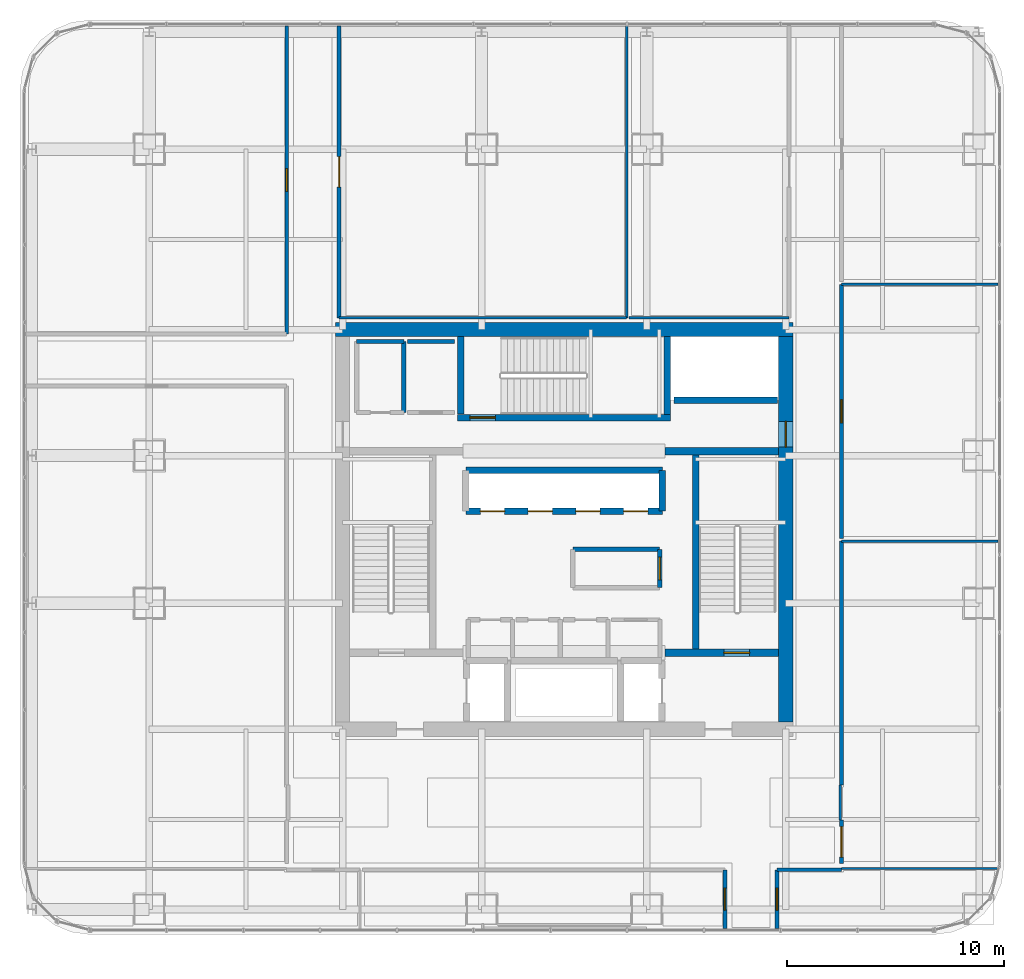
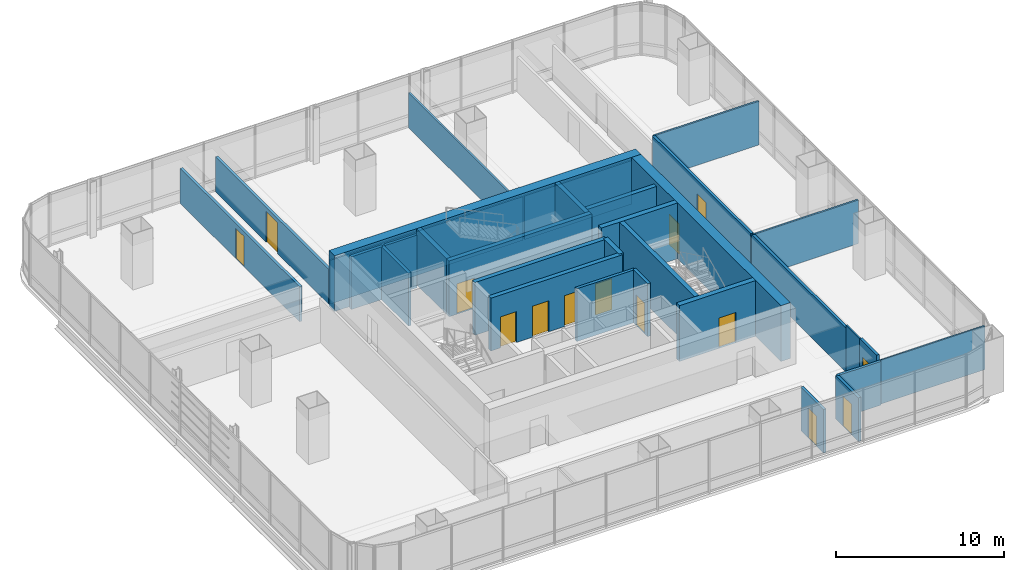
# One storey, part 31 of 38: 32 walls, 14 doors, 14 openings.
"""IFC4 building model written with IfcOpenShell, lengths in metres."""

from ifc_helpers import new_model, si_unit, direction, frame, frame_2d, origin, place, context, subcontext, project, spatial, rectangle, extrude, material, layer, layer_set, type_object, element, fill, save


model = new_model("IFC4")

# Units and contexts
model_context = context("Model", 3, precision=1e-05, world=origin(), true_north=direction((0.0, 1.0)))
body_context = subcontext(model_context, "Body", "Model", "MODEL_VIEW")
ifc_project = project(units=[si_unit("LENGTHUNIT", "METRE"), si_unit("AREAUNIT", "SQUARE_METRE"), si_unit("VOLUMEUNIT", "CUBIC_METRE"), si_unit("PLANEANGLEUNIT", "RADIAN"), si_unit("MASSUNIT", "GRAM", prefix="KILO")], contexts=[model_context])

# Site, building, storey
site_placement = place(None, origin())
site = spatial("IfcSite", under=ifc_project, at=site_placement, CompositionType="ELEMENT")
building_placement = place(site_placement, origin())
building = spatial("IfcBuilding", under=site, at=building_placement, Name="Punatoya Terracotta Tower", CompositionType="ELEMENT")
storey_placement = place(building_placement, frame((0.0, 0.0, 160.050048828125)))
storey = spatial("IfcBuildingStorey", under=building, at=storey_placement, Name="L37", CompositionType="ELEMENT", Elevation=160.050048828125)

# Wall
ifc_material_1 = material(Name="Concrete C60/75", Category="concrete")
ifc_layer_1 = layer(ifc_material_1, 0.64990234375)
ifc_layer_set_1 = layer_set([ifc_layer_1], Name="Concrete C60/75")
wall_type_1 = type_object("IfcWallType", Name="WL-COR-650", PredefinedType="SHEAR", material=ifc_layer_set_1)
wall_1_placement = place(storey_placement, frame((-10.52490234375, 9.199951171875, 0.0), z_axis=(0.0, 0.0, 1.0), x_axis=(1.0, 0.0, 0.0)))
element("IfcWall", 1, at=wall_1_placement, inside=storey, type_object=wall_type_1, Name="L37 Core Shear Wall N", PredefinedType="SHEAR", context=body_context, shape_type="SweptSolid", body=[
    extrude(rectangle(XDim=21.0498046875, YDim=0.64990234375, at=frame_2d((10.52490234375, 0.0))), origin(), (0.0, 0.0, 1.0), 4.050048828125),
])

# Wall, opening, door
wall_2_placement = place(storey_placement, frame((10.199951171875, 8.875, 0.0), z_axis=(0.0, 0.0, 1.0), x_axis=(0.0, -1.0, 0.0)))
wall_2 = element("IfcWall", 2, at=wall_2_placement, inside=storey, type_object=wall_type_1, Name="L37 Core Shear Wall E", PredefinedType="SHEAR", context=body_context, shape_type="SweptSolid", body=[
    extrude(rectangle(XDim=17.75, YDim=0.64990234375, at=frame_2d((8.875, 0.0))), origin(), (0.0, 0.0, 1.0), 4.050048828125),
])
opening_1_placement = place(wall_2_placement, frame((3.905029296875, 0.0, 0.0)))
opening_1 = element("IfcOpeningElement", 3, at=opening_1_placement, cuts=wall_2, Name="Opening SD-01", PredefinedType="OPENING", context=body_context, shape_type="SweptSolid", body=[
    extrude(rectangle(XDim=1.179931640625, YDim=2.199951171875, at=frame_2d((0.58984375, 1.10009765625))), frame((0.0, 0.3349609375, 0.0), z_axis=(0.0, -1.0, 0.0), x_axis=(1.0, 0.0, 0.0)), (0.0, 0.0, 1.0), 0.669921875),
])
ifc_material_2 = material(Name="Galvanised Steel Pressurized Stair Fire Door", Category="steel")
door_type_1 = type_object("IfcDoorType", Name="DR-STR-1180", OperationType="NOTDEFINED", PredefinedType="DOOR", material=ifc_material_2)
door_1_placement = place(opening_1_placement, origin())
door_1 = element("IfcDoor", 4, at=door_1_placement, inside=storey, type_object=door_type_1, Name="L37 Central Lift Lobby East Fire Door", OperationType="SINGLE_SWING_RIGHT", OverallHeight=2.199951171875, OverallWidth=1.179931640625, PredefinedType="DOOR", context=body_context, shape_type="SweptSolid", body=[
    extrude(rectangle(XDim=1.179931640625, YDim=2.199951171875, at=frame_2d((0.58984375, 1.10009765625))), frame((0.0, 0.02490234375, 0.0), z_axis=(0.0, -1.0, 0.0), x_axis=(1.0, 0.0, 0.0)), (0.0, 0.0, 1.0), 0.050048828125),
])
fill(opening_1, door_1)

# Wall
ifc_material_3 = material(Name="Gypsum Fireboard + Steel Stud", Category="steel")
ifc_layer_2 = layer(ifc_material_3, 0.179931640625)
ifc_layer_set_2 = layer_set([ifc_layer_2], Name="Gypsum Fireboard + Steel Stud")
wall_type_2 = type_object("IfcWallType", Name="WL-CORR-180", PredefinedType="PARTITIONING", material=ifc_layer_set_2)
wall_3_placement = place(storey_placement, frame((-5.050048828125, 8.64990234375, 0.0), z_axis=(0.0, 0.0, 1.0), x_axis=(-1.0, 0.0, 0.0)))
element("IfcWall", 5, at=wall_3_placement, inside=storey, type_object=wall_type_2, Name="L37 West Core Print Room Partition 18", PredefinedType="PARTITIONING", context=body_context, shape_type="SweptSolid", body=[
    extrude(rectangle(XDim=2.169921875, YDim=0.179931640625, at=frame_2d((1.0849609375, 0.0))), origin(), (0.0, 0.0, 1.0), 3.829833984375),
])

# Wall, opening, door
wall_4_placement = place(storey_placement, frame((7.39990234375, -15.669921875, 0.0), z_axis=(0.0, 0.0, 1.0), x_axis=(0.0, -1.0, 0.0)))
wall_4 = element("IfcWall", 6, at=wall_4_placement, inside=storey, type_object=wall_type_2, Name="L37 Open-Plan Client Strategy Boardroom Partition 23", PredefinedType="PARTITIONING", context=body_context, shape_type="SweptSolid", body=[
    extrude(rectangle(XDim=2.7001953125, YDim=0.179931640625, at=frame_2d((1.35009765625, 0.0))), origin(), (0.0, 0.0, 1.0), 3.174072265625),
])
opening_2_placement = place(wall_4_placement, frame((0.840087890625, 0.0, 0.0)))
opening_2 = element("IfcOpeningElement", 7, at=opening_2_placement, cuts=wall_4, Name="Opening MD-01", PredefinedType="OPENING", context=body_context, shape_type="SweptSolid", body=[
    extrude(rectangle(XDim=1.02001953125, YDim=2.199951171875, at=frame_2d((0.510009765625, 1.10009765625))), frame((0.0, 0.099853515625, 0.0), z_axis=(0.0, -1.0, 0.0), x_axis=(1.0, 0.0, 0.0)), (0.0, 0.0, 1.0), 0.199951171875),
])
ifc_material_4 = material(Name="Aluminium + Acoustic Glass Leaf", Category="aluminium")
door_type_2 = type_object("IfcDoorType", Name="DR-MTG-1020", OperationType="NOTDEFINED", PredefinedType="DOOR", material=ifc_material_4)
door_2_placement = place(opening_2_placement, origin())
door_2 = element("IfcDoor", 8, at=door_2_placement, inside=storey, type_object=door_type_2, Name="L37 Open-Plan Client Strategy Boardroom Door", OperationType="SINGLE_SWING_RIGHT", OverallHeight=2.199951171875, OverallWidth=1.02001953125, PredefinedType="DOOR", context=body_context, shape_type="SweptSolid", body=[
    extrude(rectangle(XDim=1.02001953125, YDim=2.199951171875, at=frame_2d((0.510009765625, 1.10009765625))), frame((0.0, 0.02490234375, 0.0), z_axis=(0.0, -1.0, 0.0), x_axis=(1.0, 0.0, 0.0)), (0.0, 0.0, 1.0), 0.050048828125),
])
fill(opening_2, door_2)

wall_5_placement = place(storey_placement, frame((9.800048828125, -18.3701171875, 0.0), z_axis=(0.0, 0.0, 1.0), x_axis=(0.0, 1.0, 0.0)))
wall_5 = element("IfcWall", 9, at=wall_5_placement, inside=storey, type_object=wall_type_2, Name="L37 Open-Plan Collaborative Workshop Room Partition 25", PredefinedType="PARTITIONING", context=body_context, shape_type="SweptSolid", body=[
    extrude(rectangle(XDim=2.7001953125, YDim=0.179931640625, at=frame_2d((1.35009765625, 0.0))), origin(), (0.0, 0.0, 1.0), 3.174072265625),
])
opening_3_placement = place(wall_5_placement, frame((0.840087890625, 0.0, 0.0)))
opening_3 = element("IfcOpeningElement", 10, at=opening_3_placement, cuts=wall_5, Name="Opening MD-01", PredefinedType="OPENING", context=body_context, shape_type="SweptSolid", body=[
    extrude(rectangle(XDim=1.02001953125, YDim=2.199951171875, at=frame_2d((0.510009765625, 1.10009765625))), frame((0.0, 0.099853515625, 0.0), z_axis=(0.0, -1.0, 0.0), x_axis=(1.0, 0.0, 0.0)), (0.0, 0.0, 1.0), 0.199951171875),
])
door_3_placement = place(opening_3_placement, origin())
door_3 = element("IfcDoor", 11, at=door_3_placement, inside=storey, type_object=door_type_2, Name="L37 Open-Plan Collaborative Workshop Room Door", OperationType="SINGLE_SWING_LEFT", OverallHeight=2.199951171875, OverallWidth=1.02001953125, PredefinedType="DOOR", context=body_context, shape_type="SweptSolid", body=[
    extrude(rectangle(XDim=1.02001953125, YDim=2.199951171875, at=frame_2d((0.510009765625, 1.10009765625))), frame((0.0, 0.02490234375, 0.0), z_axis=(0.0, -1.0, 0.0), x_axis=(1.0, 0.0, 0.0)), (0.0, 0.0, 1.0), 0.050048828125),
])
fill(opening_3, door_3)

# Wall
wall_6_placement = place(storey_placement, frame((9.800048828125, -15.669921875, 0.0), z_axis=(0.0, 0.0, 1.0), x_axis=(1.0, 0.0, 0.0)))
element("IfcWall", 12, at=wall_6_placement, inside=storey, type_object=wall_type_2, Name="L37 Open-Plan Collaborative Workshop Room Partition 26", PredefinedType="PARTITIONING", context=body_context, shape_type="SweptSolid", body=[
    extrude(rectangle(XDim=2.969970703125, YDim=0.179931640625, at=frame_2d((1.48486328125, 0.0))), origin(), (0.0, 0.0, 1.0), 3.174072265625),
])

# Wall, opening, door
wall_7_placement = place(storey_placement, frame((12.77001953125, -15.389892578125, 0.0), z_axis=(0.0, 0.0, 1.0), x_axis=(0.0, 1.0, 0.0)))
wall_7 = element("IfcWall", 13, at=wall_7_placement, inside=storey, type_object=wall_type_2, Name="L37 Open-Plan Executive Briefing Room Partition 28", PredefinedType="PARTITIONING", context=body_context, shape_type="SweptSolid", body=[
    extrude(rectangle(XDim=2.010009765625, YDim=0.179931640625, at=frame_2d((1.0048828125, 0.0))), origin(), (0.0, 0.0, 1.0), 3.424072265625),
])
opening_4_placement = place(wall_7_placement, frame((0.304931640625, 0.0, 0.0)))
opening_4 = element("IfcOpeningElement", 14, at=opening_4_placement, cuts=wall_7, Name="Opening BD-01", PredefinedType="OPENING", context=body_context, shape_type="SweptSolid", body=[
    extrude(rectangle(XDim=1.39990234375, YDim=2.25, at=frame_2d((0.699951171875, 1.125))), frame((0.0, 0.099853515625, 0.0), z_axis=(0.0, -1.0, 0.0), x_axis=(1.0, 0.0, 0.0)), (0.0, 0.0, 1.0), 0.199951171875),
])
ifc_material_5 = material(Name="Bengal Teak Acoustic Leaf")
door_type_3 = type_object("IfcDoorType", Name="DR-BRD-1400", OperationType="NOTDEFINED", PredefinedType="DOOR", material=ifc_material_5)
door_4_placement = place(opening_4_placement, origin())
door_4 = element("IfcDoor", 15, at=door_4_placement, inside=storey, type_object=door_type_3, Name="L37 Open-Plan Executive Briefing Room Door", OperationType="SINGLE_SWING_RIGHT", OverallHeight=2.25, OverallWidth=1.39990234375, PredefinedType="DOOR", context=body_context, shape_type="SweptSolid", body=[
    extrude(rectangle(XDim=1.39990234375, YDim=2.25, at=frame_2d((0.699951171875, 1.125))), frame((0.0, 0.02490234375, 0.0), z_axis=(0.0, -1.0, 0.0), x_axis=(1.0, 0.0, 0.0)), (0.0, 0.0, 1.0), 0.050048828125),
])
fill(opening_4, door_4)

# Wall
wall_8_placement = place(storey_placement, frame((12.77001953125, -11.77001953125, 0.0), z_axis=(0.0, 0.0, 1.0), x_axis=(0.0, 1.0, 0.0)))
element("IfcWall", 16, at=wall_8_placement, inside=storey, type_object=wall_type_2, Name="L37 Open-Plan Executive Briefing Room Partition 30", PredefinedType="PARTITIONING", context=body_context, shape_type="SweptSolid", body=[
    extrude(rectangle(XDim=11.23193359375, YDim=0.179931640625, at=frame_2d((5.615966796875, 0.0))), origin(), (0.0, 0.0, 1.0), 3.174072265625),
])

# Wall, opening, door
wall_9_placement = place(storey_placement, frame((12.77001953125, -0.41796875, 0.0), z_axis=(0.0, 0.0, 1.0), x_axis=(0.0, 1.0, 0.0)))
wall_9 = element("IfcWall", 17, at=wall_9_placement, inside=storey, type_object=wall_type_2, Name="L37 Open-Plan Delegate Reception Lounge Partition 36", PredefinedType="PARTITIONING", context=body_context, shape_type="SweptSolid", body=[
    extrude(rectangle(XDim=11.699951171875, YDim=0.179931640625, at=frame_2d((5.85009765625, 0.0))), origin(), (0.0, 0.0, 1.0), 3.174072265625),
])
opening_5_placement = place(wall_9_placement, frame((5.324951171875, 0.0, 0.0)))
opening_5 = element("IfcOpeningElement", 18, at=opening_5_placement, cuts=wall_9, Name="Opening OD-01", PredefinedType="OPENING", context=body_context, shape_type="SweptSolid", body=[
    extrude(rectangle(XDim=1.050048828125, YDim=2.199951171875, at=frame_2d((0.52490234375, 1.10009765625))), frame((0.0, 0.099853515625, 0.0), z_axis=(0.0, -1.0, 0.0), x_axis=(1.0, 0.0, 0.0)), (0.0, 0.0, 1.0), 0.199951171875),
])
ifc_material_6 = material(Name="Bengal Teak Solid-Core Leaf")
door_type_4 = type_object("IfcDoorType", Name="DR-OFF-1050", OperationType="NOTDEFINED", PredefinedType="DOOR", material=ifc_material_6)
door_5_placement = place(opening_5_placement, origin())
door_5 = element("IfcDoor", 19, at=door_5_placement, inside=storey, type_object=door_type_4, Name="L37 Open-Plan Delegate Reception Lounge Door", OperationType="SINGLE_SWING_RIGHT", OverallHeight=2.199951171875, OverallWidth=1.050048828125, PredefinedType="DOOR", context=body_context, shape_type="SweptSolid", body=[
    extrude(rectangle(XDim=1.050048828125, YDim=2.199951171875, at=frame_2d((0.52490234375, 1.10009765625))), frame((0.0, 0.02490234375, 0.0), z_axis=(0.0, -1.0, 0.0), x_axis=(1.0, 0.0, 0.0)), (0.0, 0.0, 1.0), 0.050048828125),
])
fill(opening_5, door_5)

wall_10_placement = place(storey_placement, frame((-12.77001953125, 23.169921875, 0.0), z_axis=(0.0, 0.0, 1.0), x_axis=(0.0, -1.0, 0.0)))
wall_10 = element("IfcWall", 20, at=wall_10_placement, inside=storey, type_object=wall_type_2, Name="L37 Wellness Focus Room Partition 38", PredefinedType="PARTITIONING", context=body_context, shape_type="SweptSolid", body=[
    extrude(rectangle(XDim=14.169921875, YDim=0.179931640625, at=frame_2d((7.0849609375, 0.0))), origin(), (0.0, 0.0, 1.0), 2.5439453125),
])
opening_6_placement = place(wall_10_placement, frame((6.56005859375, 0.0, 0.0)))
opening_6 = element("IfcOpeningElement", 21, at=opening_6_placement, cuts=wall_10, Name="Opening OD-01", PredefinedType="OPENING", context=body_context, shape_type="SweptSolid", body=[
    extrude(rectangle(XDim=1.050048828125, YDim=2.199951171875, at=frame_2d((0.52490234375, 1.10009765625))), frame((0.0, 0.099853515625, 0.0), z_axis=(0.0, -1.0, 0.0), x_axis=(1.0, 0.0, 0.0)), (0.0, 0.0, 1.0), 0.199951171875),
])
door_6_placement = place(opening_6_placement, origin())
door_6 = element("IfcDoor", 22, at=door_6_placement, inside=storey, type_object=door_type_4, Name="L37 Wellness Focus Room Door", OperationType="SINGLE_SWING_LEFT", OverallHeight=2.199951171875, OverallWidth=1.050048828125, PredefinedType="DOOR", context=body_context, shape_type="SweptSolid", body=[
    extrude(rectangle(XDim=1.050048828125, YDim=2.199951171875, at=frame_2d((0.52490234375, 1.10009765625))), frame((0.0, 0.02490234375, 0.0), z_axis=(0.0, -1.0, 0.0), x_axis=(1.0, 0.0, 0.0)), (0.0, 0.0, 1.0), 0.050048828125),
])
fill(opening_6, door_6)

wall_11_placement = place(storey_placement, frame((-10.360107421875, 9.739990234375, 0.0), z_axis=(0.0, 0.0, 1.0), x_axis=(0.0, 1.0, 0.0)))
wall_11 = element("IfcWall", 23, at=wall_11_placement, inside=storey, type_object=wall_type_2, Name="L37 Case-Study Classroom Partition 42", PredefinedType="PARTITIONING", context=body_context, shape_type="SweptSolid", body=[
    extrude(rectangle(XDim=13.429931640625, YDim=0.179931640625, at=frame_2d((6.71484375, 0.0))), origin(), (0.0, 0.0, 1.0), 2.5439453125),
])
opening_7_placement = place(wall_11_placement, frame((6.014892578125, 0.0, 0.0)))
opening_7 = element("IfcOpeningElement", 24, at=opening_7_placement, cuts=wall_11, Name="Opening BD-01", PredefinedType="OPENING", context=body_context, shape_type="SweptSolid", body=[
    extrude(rectangle(XDim=1.39990234375, YDim=2.25, at=frame_2d((0.699951171875, 1.125))), frame((0.0, 0.099853515625, 0.0), z_axis=(0.0, -1.0, 0.0), x_axis=(1.0, 0.0, 0.0)), (0.0, 0.0, 1.0), 0.199951171875),
])
door_7_placement = place(opening_7_placement, origin())
door_7 = element("IfcDoor", 25, at=door_7_placement, inside=storey, type_object=door_type_3, Name="L37 Case-Study Classroom Door", OperationType="SINGLE_SWING_RIGHT", OverallHeight=2.25, OverallWidth=1.39990234375, PredefinedType="DOOR", context=body_context, shape_type="SweptSolid", body=[
    extrude(rectangle(XDim=1.39990234375, YDim=2.25, at=frame_2d((0.699951171875, 1.125))), frame((0.0, 0.02490234375, 0.0), z_axis=(0.0, -1.0, 0.0), x_axis=(1.0, 0.0, 0.0)), (0.0, 0.0, 1.0), 0.050048828125),
])
fill(opening_7, door_7)

# Wall
ifc_material_7 = material(Name="Aluminium Framed Acoustic Glass Partition", Category="aluminium")
ifc_layer_3 = layer(ifc_material_7, 0.10009765625)
ifc_layer_set_3 = layer_set([ifc_layer_3], Name="Aluminium Framed Acoustic Glass Partition")
wall_type_3 = type_object("IfcWallType", Name="WL-GLZ-100", PredefinedType="PARTITIONING", material=ifc_layer_set_3)
wall_12_placement = place(storey_placement, frame((12.77001953125, -15.610107421875, 0.0), z_axis=(0.0, 0.0, 1.0), x_axis=(1.0, 0.0, 0.0)))
element("IfcWall", 26, at=wall_12_placement, inside=storey, type_object=wall_type_3, Name="L37 Open-Plan Collaborative Workshop Room Partition 27", PredefinedType="PARTITIONING", context=body_context, shape_type="SweptSolid", body=[
    extrude(rectangle(XDim=7.176513671875, YDim=0.10009765625, at=frame_2d((3.58837890625, 0.0))), origin(), (0.0, 0.0, 1.0), 3.174072265625),
])

# Wall, opening, door
ifc_material_8 = material(Name="Concrete C40/50", Category="concrete")
ifc_layer_4 = layer(ifc_material_8, 0.199951171875)
ifc_layer_set_4 = layer_set([ifc_layer_4], Name="Concrete C40/50")
wall_type_4 = type_object("IfcWallType", Name="WL-INT-200", PredefinedType="SOLIDWALL", material=ifc_layer_set_4)
wall_13_placement = place(storey_placement, frame((4.39990234375, -2.679931640625, 0.0), z_axis=(0.0, 0.0, 1.0), x_axis=(0.0, 1.0, 0.0)))
wall_13 = element("IfcWall", 27, at=wall_13_placement, inside=storey, type_object=wall_type_4, Name="L37 East Core Tea Pantry Partition 10", PredefinedType="SOLIDWALL", context=body_context, shape_type="SweptSolid", body=[
    extrude(rectangle(XDim=1.760009765625, YDim=0.199951171875, at=frame_2d((0.8798828125, 0.0))), origin(), (0.0, 0.0, 1.0), 3.829833984375),
])
opening_8_placement = place(wall_13_placement, frame((0.35498046875, 0.0, 0.0)))
opening_8 = element("IfcOpeningElement", 28, at=opening_8_placement, cuts=wall_13, Name="Opening OD-01", PredefinedType="OPENING", context=body_context, shape_type="SweptSolid", body=[
    extrude(rectangle(XDim=1.050048828125, YDim=2.199951171875, at=frame_2d((0.52490234375, 1.10009765625))), frame((0.0, 0.10986328125, 0.0), z_axis=(0.0, -1.0, 0.0), x_axis=(1.0, 0.0, 0.0)), (0.0, 0.0, 1.0), 0.219970703125),
])
door_8_placement = place(opening_8_placement, origin())
door_8 = element("IfcDoor", 29, at=door_8_placement, inside=storey, type_object=door_type_4, Name="L37 East Tea Pantry Door", OperationType="SINGLE_SWING_RIGHT", OverallHeight=2.199951171875, OverallWidth=1.050048828125, PredefinedType="DOOR", context=body_context, shape_type="SweptSolid", body=[
    extrude(rectangle(XDim=1.050048828125, YDim=2.199951171875, at=frame_2d((0.52490234375, 1.10009765625))), frame((0.0, 0.02490234375, 0.0), z_axis=(0.0, -1.0, 0.0), x_axis=(1.0, 0.0, 0.0)), (0.0, 0.0, 1.0), 0.050048828125),
])
fill(opening_8, door_8)

# Walls
wall_14_placement = place(storey_placement, frame((4.39990234375, -0.919921875, 0.0), z_axis=(0.0, 0.0, 1.0), x_axis=(-1.0, 0.0, 0.0)))
element("IfcWall", 30, at=wall_14_placement, inside=storey, type_object=wall_type_4, Name="L37 East Core Tea Pantry Partition 11", PredefinedType="SOLIDWALL", context=body_context, shape_type="SweptSolid", body=[
    extrude(rectangle(XDim=4.0, YDim=0.199951171875, at=frame_2d((2.0, 0.0))), origin(), (0.0, 0.0, 1.0), 3.829833984375),
])
wall_15_placement = place(storey_placement, frame((-7.3798828125, 5.3798828125, 0.0), z_axis=(0.0, 0.0, 1.0), x_axis=(0.0, 1.0, 0.0)))
element("IfcWall", 31, at=wall_15_placement, inside=storey, type_object=wall_type_4, Name="L37 West Core Archive Vault Partition 14", PredefinedType="SOLIDWALL", context=body_context, shape_type="SweptSolid", body=[
    extrude(rectangle(XDim=3.27001953125, YDim=0.199951171875, at=frame_2d((1.635009765625, 0.0))), origin(), (0.0, 0.0, 1.0), 3.829833984375),
])
wall_16_placement = place(storey_placement, frame((-7.3798828125, 8.64990234375, 0.0), z_axis=(0.0, 0.0, 1.0), x_axis=(-1.0, 0.0, 0.0)))
element("IfcWall", 32, at=wall_16_placement, inside=storey, type_object=wall_type_4, Name="L37 West Core Archive Vault Partition 15", PredefinedType="SOLIDWALL", context=body_context, shape_type="SweptSolid", body=[
    extrude(rectangle(XDim=2.170166015625, YDim=0.199951171875, at=frame_2d((1.0849609375, 0.0))), origin(), (0.0, 0.0, 1.0), 3.829833984375),
])
ifc_material_9 = material(Name="Gypsum Partition + Steel Stud", Category="steel")
ifc_layer_5 = layer(ifc_material_9, 0.1201171875)
ifc_layer_set_5 = layer_set([ifc_layer_5], Name="Gypsum Partition + Steel Stud")
wall_type_5 = type_object("IfcWallType", Name="WL-OFF-120", PredefinedType="PARTITIONING", material=ifc_layer_set_5)
wall_17_placement = place(storey_placement, frame((12.7099609375, -13.3798828125, 0.0), z_axis=(0.0, 0.0, 1.0), x_axis=(0.0, 1.0, 0.0)))
element("IfcWall", 33, at=wall_17_placement, inside=storey, type_object=wall_type_5, Name="L37 Open-Plan Executive Briefing Room Partition 29", PredefinedType="PARTITIONING", context=body_context, shape_type="SweptSolid", body=[
    extrude(rectangle(XDim=1.60986328125, YDim=0.1201171875, at=frame_2d((0.804931640625, 0.0))), origin(), (0.0, 0.0, 1.0), 3.424072265625),
])
for number, where, z_axis, x_axis, name in (
    (34, (12.77001953125, -0.5380859375, 0.0), (0.0, 0.0, 1.0), (1.0, 0.0, 0.0), "L37 Open-Plan Executive Briefing Room Partition 31"),
    (35, (12.77001953125, 11.281982421875, 0.0), (0.0, 0.0, 1.0), (1.0, 0.0, 0.0), "L37 Open-Plan Delegate Reception Lounge Partition 37"),
):
    element("IfcWall", number, at=place(storey_placement, frame(where, z_axis=z_axis, x_axis=x_axis)), inside=storey, type_object=wall_type_5, Name=name, PredefinedType="PARTITIONING", context=body_context, shape_type="SweptSolid", body=[
        extrude(rectangle(XDim=7.199951171875, YDim=0.1201171875, at=frame_2d((3.60009765625, 0.0))), origin(), (0.0, 0.0, 1.0), 3.174072265625),
    ])
wall_18_placement = place(storey_placement, frame((2.8740234375, 23.169921875, 0.0), z_axis=(0.0, 0.0, 1.0), x_axis=(0.0, -1.0, 0.0)))
element("IfcWall", 36, at=wall_18_placement, inside=storey, type_object=wall_type_5, Name="L37 Case-Study Classroom Partition 40", PredefinedType="PARTITIONING", context=body_context, shape_type="SweptSolid", body=[
    extrude(rectangle(XDim=13.429931640625, YDim=0.1201171875, at=frame_2d((6.71484375, 0.0))), origin(), (0.0, 0.0, 1.0), 2.5439453125),
])
wall_19_placement = place(storey_placement, frame((2.8740234375, 9.739990234375, 0.0), z_axis=(0.0, 0.0, 1.0), x_axis=(-1.0, 0.0, 0.0)))
element("IfcWall", 37, at=wall_19_placement, inside=storey, type_object=wall_type_5, Name="L37 Case-Study Classroom Partition 41", PredefinedType="PARTITIONING", context=body_context, shape_type="SweptSolid", body=[
    extrude(rectangle(XDim=13.234130859375, YDim=0.1201171875, at=frame_2d((6.6171875, 0.0))), origin(), (0.0, 0.0, 1.0), 3.174072265625),
])
wall_20_placement = place(storey_placement, frame((10.360107421875, 9.739990234375, 0.0), z_axis=(0.0, 0.0, 1.0), x_axis=(-1.0, 0.0, 0.0)))
element("IfcWall", 38, at=wall_20_placement, inside=storey, type_object=wall_type_5, Name="L37 Open-Plan Symposium Colloquium Room Partition 43", PredefinedType="PARTITIONING", context=body_context, shape_type="SweptSolid", body=[
    extrude(rectangle(XDim=7.3662109375, YDim=0.1201171875, at=frame_2d((3.68310546875, 0.0))), origin(), (0.0, 0.0, 1.0), 3.174072265625),
])
ifc_layer_6 = layer(ifc_material_8, 0.300048828125)
ifc_layer_set_6 = layer_set([ifc_layer_6], Name="Concrete C40/50")
wall_type_6 = type_object("IfcWallType", Name="WL-SHF-300", PredefinedType="SOLIDWALL", material=ifc_layer_set_6)
wall_21_placement = place(storey_placement, frame((6.050048828125, 3.449951171875, 0.0), z_axis=(0.0, 0.0, 1.0), x_axis=(0.0, -1.0, 0.0)))
element("IfcWall", 39, at=wall_21_placement, inside=storey, type_object=wall_type_6, Name="L37 Structural Stair Shaft Wall SW-ST2-W", PredefinedType="SOLIDWALL", context=body_context, shape_type="SweptSolid", body=[
    extrude(rectangle(XDim=8.949951171875, YDim=0.300048828125, at=frame_2d((4.47509765625, 0.0))), origin(), (0.0, 0.0, 1.0), 4.050048828125),
])
for number, where, z_axis, x_axis, name in (
    (40, (-4.75, 5.300048828125, 0.0), (0.0, 0.0, 1.0), (0.0, 1.0, 0.0), "L37 Structural Stair Shaft Wall SW-ST3-W"),
    (41, (4.75, 8.875, 0.0), (0.0, 0.0, 1.0), (0.0, -1.0, 0.0), "L37 Structural Stair Shaft Wall SW-ST3-E"),
):
    element("IfcWall", number, at=place(storey_placement, frame(where, z_axis=z_axis, x_axis=x_axis)), inside=storey, type_object=wall_type_6, Name=name, PredefinedType="SOLIDWALL", context=body_context, shape_type="SweptSolid", body=[
        extrude(rectangle(XDim=3.574951171875, YDim=0.300048828125, at=frame_2d((1.78759765625, 0.0))), origin(), (0.0, 0.0, 1.0), 4.050048828125),
    ])

# Wall, opening, door
wall_22_placement = place(storey_placement, frame((-4.89990234375, 5.14990234375, 0.0), z_axis=(0.0, 0.0, 1.0), x_axis=(1.0, 0.0, 0.0)))
wall_22 = element("IfcWall", 42, at=wall_22_placement, inside=storey, type_object=wall_type_6, Name="L37 Structural Stair Shaft Wall SW-ST3-S", PredefinedType="SOLIDWALL", context=body_context, shape_type="SweptSolid", body=[
    extrude(rectangle(XDim=9.7998046875, YDim=0.300048828125, at=frame_2d((4.89990234375, 0.0))), origin(), (0.0, 0.0, 1.0), 4.050048828125),
])
opening_9_placement = place(wall_22_placement, frame((0.56005859375, 0.0, 0.0)))
opening_9 = element("IfcOpeningElement", 43, at=opening_9_placement, cuts=wall_22, Name="Opening SD-01", PredefinedType="OPENING", context=body_context, shape_type="SweptSolid", body=[
    extrude(rectangle(XDim=1.179931640625, YDim=2.199951171875, at=frame_2d((0.58984375, 1.10009765625))), frame((0.0, 0.159912109375, 0.0), z_axis=(0.0, -1.0, 0.0), x_axis=(1.0, 0.0, 0.0)), (0.0, 0.0, 1.0), 0.320068359375),
])
door_9_placement = place(opening_9_placement, origin())
door_9 = element("IfcDoor", 44, at=door_9_placement, inside=storey, type_object=door_type_1, Name="L37 Stair ST-3 Core Lobby Fire Door", OperationType="SINGLE_SWING_LEFT", OverallHeight=2.199951171875, OverallWidth=1.179931640625, PredefinedType="DOOR", context=body_context, shape_type="SweptSolid", body=[
    extrude(rectangle(XDim=1.179931640625, YDim=2.199951171875, at=frame_2d((0.58984375, 1.10009765625))), frame((0.0, 0.02490234375, 0.0), z_axis=(0.0, -1.0, 0.0), x_axis=(1.0, 0.0, 0.0)), (0.0, 0.0, 1.0), 0.050048828125),
])
fill(opening_9, door_9)

# Wall, openings, doors
wall_23_placement = place(storey_placement, frame((-4.52001953125, 0.840087890625, 0.0), z_axis=(0.0, 0.0, 1.0), x_axis=(1.0, 0.0, 0.0)))
wall_23 = element("IfcWall", 45, at=wall_23_placement, inside=storey, type_object=wall_type_6, Name="L37 North Lift Bank Front Shaft Wall", PredefinedType="SOLIDWALL", context=body_context, shape_type="SweptSolid", body=[
    extrude(rectangle(XDim=9.0400390625, YDim=0.300048828125, at=frame_2d((4.52001953125, 0.0))), origin(), (0.0, 0.0, 1.0), 3.829833984375),
])
opening_10_placement = place(wall_23_placement, frame((0.659912109375, 0.0, 0.0)))
opening_10 = element("IfcOpeningElement", 46, at=opening_10_placement, cuts=wall_23, Name="Opening LD-02", PredefinedType="OPENING", context=body_context, shape_type="SweptSolid", body=[
    extrude(rectangle(XDim=1.1201171875, YDim=2.25, at=frame_2d((0.56005859375, 1.125))), frame((0.0, 0.159912109375, 0.0), z_axis=(0.0, -1.0, 0.0), x_axis=(1.0, 0.0, 0.0)), (0.0, 0.0, 1.0), 0.320068359375),
])
opening_11_placement = place(wall_23_placement, frame((2.860107421875, 0.0, 0.0)))
opening_11 = element("IfcOpeningElement", 47, at=opening_11_placement, cuts=wall_23, Name="Opening LD-02", PredefinedType="OPENING", context=body_context, shape_type="SweptSolid", body=[
    extrude(rectangle(XDim=1.1201171875, YDim=2.25, at=frame_2d((0.56005859375, 1.125))), frame((0.0, 0.159912109375, 0.0), z_axis=(0.0, -1.0, 0.0), x_axis=(1.0, 0.0, 0.0)), (0.0, 0.0, 1.0), 0.320068359375),
])
opening_12_placement = place(wall_23_placement, frame((5.06005859375, 0.0, 0.0)))
opening_12 = element("IfcOpeningElement", 48, at=opening_12_placement, cuts=wall_23, Name="Opening LD-02", PredefinedType="OPENING", context=body_context, shape_type="SweptSolid", body=[
    extrude(rectangle(XDim=1.1201171875, YDim=2.25, at=frame_2d((0.56005859375, 1.125))), frame((0.0, 0.159912109375, 0.0), z_axis=(0.0, -1.0, 0.0), x_axis=(1.0, 0.0, 0.0)), (0.0, 0.0, 1.0), 0.320068359375),
])
opening_13_placement = place(wall_23_placement, frame((7.260009765625, 0.0, 0.0)))
opening_13 = element("IfcOpeningElement", 49, at=opening_13_placement, cuts=wall_23, Name="Opening LD-02", PredefinedType="OPENING", context=body_context, shape_type="SweptSolid", body=[
    extrude(rectangle(XDim=1.1201171875, YDim=2.25, at=frame_2d((0.56005859375, 1.125))), frame((0.0, 0.159912109375, 0.0), z_axis=(0.0, -1.0, 0.0), x_axis=(1.0, 0.0, 0.0)), (0.0, 0.0, 1.0), 0.320068359375),
])
ifc_material_10 = material(Name="Stainless Steel Lift Landing Door", Category="steel")
door_type_5 = type_object("IfcDoorType", Name="DR-LND-1120", OperationType="NOTDEFINED", PredefinedType="DOOR", material=ifc_material_10)
door_10_placement = place(opening_10_placement, origin())
door_10 = element("IfcDoor", 50, at=door_10_placement, inside=storey, type_object=door_type_5, Name="L37 Lift PL-M1 Sliding Landing Door", OperationType="DOUBLE_DOOR_SLIDING", OverallHeight=2.25, OverallWidth=1.1201171875, PredefinedType="DOOR", context=body_context, shape_type="SweptSolid", body=[
    extrude(rectangle(XDim=1.1201171875, YDim=2.25, at=frame_2d((0.56005859375, 1.125))), frame((0.0, 0.02490234375, 0.0), z_axis=(0.0, -1.0, 0.0), x_axis=(1.0, 0.0, 0.0)), (0.0, 0.0, 1.0), 0.050048828125),
])
fill(opening_10, door_10)
door_11_placement = place(opening_11_placement, origin())
door_11 = element("IfcDoor", 51, at=door_11_placement, inside=storey, type_object=door_type_5, Name="L37 Lift PL-M2 Sliding Landing Door", OperationType="DOUBLE_DOOR_SLIDING", OverallHeight=2.25, OverallWidth=1.1201171875, PredefinedType="DOOR", context=body_context, shape_type="SweptSolid", body=[
    extrude(rectangle(XDim=1.1201171875, YDim=2.25, at=frame_2d((0.56005859375, 1.125))), frame((0.0, 0.02490234375, 0.0), z_axis=(0.0, -1.0, 0.0), x_axis=(1.0, 0.0, 0.0)), (0.0, 0.0, 1.0), 0.050048828125),
])
fill(opening_11, door_11)
door_12_placement = place(opening_12_placement, origin())
door_12 = element("IfcDoor", 52, at=door_12_placement, inside=storey, type_object=door_type_5, Name="L37 Lift PL-M3 Sliding Landing Door", OperationType="DOUBLE_DOOR_SLIDING", OverallHeight=2.25, OverallWidth=1.1201171875, PredefinedType="DOOR", context=body_context, shape_type="SweptSolid", body=[
    extrude(rectangle(XDim=1.1201171875, YDim=2.25, at=frame_2d((0.56005859375, 1.125))), frame((0.0, 0.02490234375, 0.0), z_axis=(0.0, -1.0, 0.0), x_axis=(1.0, 0.0, 0.0)), (0.0, 0.0, 1.0), 0.050048828125),
])
fill(opening_12, door_12)
door_13_placement = place(opening_13_placement, origin())
door_13 = element("IfcDoor", 53, at=door_13_placement, inside=storey, type_object=door_type_5, Name="L37 Lift PL-M4 Sliding Landing Door", OperationType="DOUBLE_DOOR_SLIDING", OverallHeight=2.25, OverallWidth=1.1201171875, PredefinedType="DOOR", context=body_context, shape_type="SweptSolid", body=[
    extrude(rectangle(XDim=1.1201171875, YDim=2.25, at=frame_2d((0.56005859375, 1.125))), frame((0.0, 0.02490234375, 0.0), z_axis=(0.0, -1.0, 0.0), x_axis=(1.0, 0.0, 0.0)), (0.0, 0.0, 1.0), 0.050048828125),
])
fill(opening_13, door_13)

# Walls
wall_24_placement = place(storey_placement, frame((-4.52001953125, 2.719970703125, 0.0), z_axis=(0.0, 0.0, 1.0), x_axis=(1.0, 0.0, 0.0)))
element("IfcWall", 54, at=wall_24_placement, inside=storey, type_object=wall_type_6, Name="L37 North Lift Bank Rear Shaft Wall", PredefinedType="SOLIDWALL", context=body_context, shape_type="SweptSolid", body=[
    extrude(rectangle(XDim=9.0400390625, YDim=0.300048828125, at=frame_2d((4.52001953125, 0.0))), origin(), (0.0, 0.0, 1.0), 3.829833984375),
])
wall_25_placement = place(storey_placement, frame((4.52001953125, 0.840087890625, 0.0), z_axis=(0.0, 0.0, 1.0), x_axis=(0.0, 1.0, 0.0)))
element("IfcWall", 55, at=wall_25_placement, inside=storey, type_object=wall_type_6, Name="L37 North Lift Bank East End Wall", PredefinedType="SOLIDWALL", context=body_context, shape_type="SweptSolid", body=[
    extrude(rectangle(XDim=1.8798828125, YDim=0.300048828125, at=frame_2d((0.93994140625, 0.0))), origin(), (0.0, 0.0, 1.0), 3.829833984375),
])
wall_26_placement = place(storey_placement, frame((5.06005859375, 5.949951171875, 0.0), z_axis=(0.0, 0.0, 1.0), x_axis=(1.0, 0.0, 0.0)))
element("IfcWall", 56, at=wall_26_placement, inside=storey, type_object=wall_type_6, Name="L37 Shuttle SL-2 South Hoistway Wall", PredefinedType="SOLIDWALL", context=body_context, shape_type="SweptSolid", body=[
    extrude(rectangle(XDim=4.760009765625, YDim=0.300048828125, at=frame_2d((2.3798828125, 0.0))), origin(), (0.0, 0.0, 1.0), 3.829833984375),
])

# Wall, opening, door
ifc_material_11 = material(Name="Concrete C50/60", Category="concrete")
ifc_layer_7 = layer(ifc_material_11, 0.35009765625)
ifc_layer_set_7 = layer_set([ifc_layer_7], Name="Concrete C50/60")
wall_type_7 = type_object("IfcWallType", Name="WL-SHF-350", PredefinedType="SOLIDWALL", material=ifc_layer_set_7)
wall_27_placement = place(storey_placement, frame((4.64990234375, -5.679931640625, 0.0), z_axis=(0.0, 0.0, 1.0), x_axis=(1.0, 0.0, 0.0)))
wall_27 = element("IfcWall", 57, at=wall_27_placement, inside=storey, type_object=wall_type_7, Name="L37 Core Web Wall CSW-R", PredefinedType="SOLIDWALL", context=body_context, shape_type="SweptSolid", body=[
    extrude(rectangle(XDim=5.22509765625, YDim=0.35009765625, at=frame_2d((2.612548828125, 0.0))), origin(), (0.0, 0.0, 1.0), 4.050048828125),
])
opening_14_placement = place(wall_27_placement, frame((2.7099609375, 0.0, 0.0)))
opening_14 = element("IfcOpeningElement", 58, at=opening_14_placement, cuts=wall_27, Name="Opening SD-01", PredefinedType="OPENING", context=body_context, shape_type="SweptSolid", body=[
    extrude(rectangle(XDim=1.179931640625, YDim=2.199951171875, at=frame_2d((0.58984375, 1.10009765625))), frame((0.0, 0.18505859375, 0.0), z_axis=(0.0, -1.0, 0.0), x_axis=(1.0, 0.0, 0.0)), (0.0, 0.0, 1.0), 0.3701171875),
])
door_14_placement = place(opening_14_placement, origin())
door_14 = element("IfcDoor", 59, at=door_14_placement, inside=storey, type_object=door_type_1, Name="L37 Stair ST-2 Smokeproof Lobby Fire Door", OperationType="SINGLE_SWING_RIGHT", OverallHeight=2.199951171875, OverallWidth=1.179931640625, PredefinedType="DOOR", context=body_context, shape_type="SweptSolid", body=[
    extrude(rectangle(XDim=1.179931640625, YDim=2.199951171875, at=frame_2d((0.58984375, 1.10009765625))), frame((0.0, 0.02490234375, 0.0), z_axis=(0.0, -1.0, 0.0), x_axis=(1.0, 0.0, 0.0)), (0.0, 0.0, 1.0), 0.050048828125),
])
fill(opening_14, door_14)

# Wall
wall_28_placement = place(storey_placement, frame((4.64990234375, 3.60009765625, 0.0), z_axis=(0.0, 0.0, 1.0), x_axis=(1.0, 0.0, 0.0)))
element("IfcWall", 60, at=wall_28_placement, inside=storey, type_object=wall_type_7, Name="L37 Core Web Wall CNW-R", PredefinedType="SOLIDWALL", context=body_context, shape_type="SweptSolid", body=[
    extrude(rectangle(XDim=5.22509765625, YDim=0.35009765625, at=frame_2d((2.612548828125, 0.0))), origin(), (0.0, 0.0, 1.0), 4.050048828125),
])

save(model, "model.ifc")
